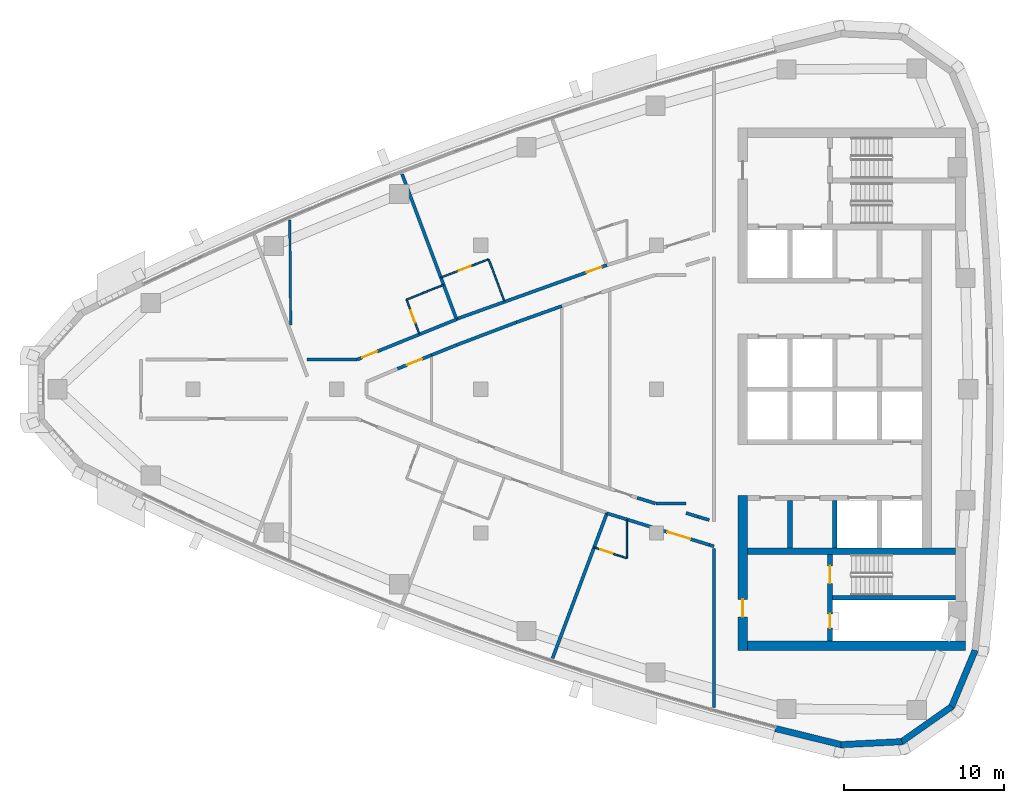
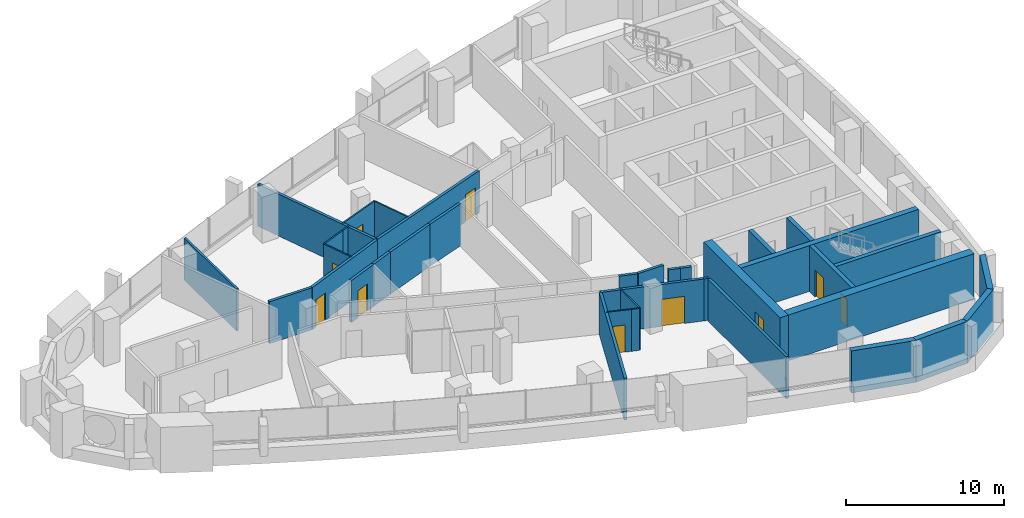
# One storey, part 9 of 15: 36 walls, 10 doors, 10 openings.
"""IFC4 building model written with IfcOpenShell, lengths in metres."""

import ifcopenshell
import ifcopenshell.guid

model = None  # the IFC model being written
_history = None  # IfcOwnerHistory: only IFC2X3 demands one
_inside = {}  # id of a spatial element -> (the spatial element, [elements in it])
_under = {}  # id of a project, library or spatial element -> (it, [spatial elements below it])
_declared = {}  # id of a project -> (the project, [libraries it declares])
_typed = {}  # id of a type object -> (the type object, [elements of that type])
_made_of = {}  # id of a material, layer set ... -> (it, [elements and type objects made of it])


def new_model(schema):
    """Start an empty IFC model of exactly this schema.

    Asked for "IFC4X3", IfcOpenShell would pick the latest addendum, in which some entities
    have other attributes; the version numbers below select the first issue.
    IFC2X3 requires an IfcOwnerHistory on every rooted entity: one is made here for all.
    """
    global model, _history
    if schema == "IFC4X3":
        model = ifcopenshell.file(schema_version=(4, 3, 0, 0))
    else:
        model = ifcopenshell.file(schema=schema)
    _inside.clear()
    _under.clear()
    _declared.clear()
    _typed.clear()
    _made_of.clear()
    _history = None
    if model.schema == "IFC2X3":
        org = make("IfcOrganization", Name="unknown")
        user = make(
            "IfcPersonAndOrganization",
            ThePerson=make("IfcPerson", FamilyName="unknown"),
            TheOrganization=org,
        )
        app = make(
            "IfcApplication",
            ApplicationDeveloper=org,
            Version="unknown",
            ApplicationFullName="unknown",
            ApplicationIdentifier="unknown",
        )
        _history = make(
            "IfcOwnerHistory",
            OwningUser=user,
            OwningApplication=app,
            ChangeAction="ADDED",
            CreationDate=0,
        )
    return model


def make(cls, **values):
    """One entity of the class cls with the attributes given. An attribute that is None is left unset."""
    return model.create_entity(
        cls, **{name: value for name, value in values.items() if value is not None}
    )


def rooted(cls, **values):
    """An entity with a GlobalId (a new one), such as an element, a storey or a relation."""
    return make(cls, GlobalId=ifcopenshell.guid.new(), OwnerHistory=_history, **values)


def si_unit(unit_type, name, prefix=None):
    """IfcSIUnit, for example si_unit("LENGTHUNIT", "METRE", prefix="MILLI")."""
    return make("IfcSIUnit", UnitType=unit_type, Prefix=prefix, Name=name)


def assignment(units):
    """IfcUnitAssignment: the units of a project."""
    return None if units is None else make("IfcUnitAssignment", Units=units)


def point(xyz):
    """IfcCartesianPoint."""
    return None if xyz is None else make("IfcCartesianPoint", Coordinates=xyz)


def direction(xyz):
    """IfcDirection."""
    return None if xyz is None else make("IfcDirection", DirectionRatios=xyz)


def frame(location, z_axis=None, x_axis=None):
    """IfcAxis2Placement3D, a coordinate frame: its origin and axes. An axis left out is left unset."""
    return make(
        "IfcAxis2Placement3D",
        Location=point(location),
        Axis=direction(z_axis),
        RefDirection=direction(x_axis),
    )


def frame_2d(location, x_axis=None):
    """IfcAxis2Placement2D, a coordinate frame in the plane: its origin and x axis."""
    return make(
        "IfcAxis2Placement2D", Location=point(location), RefDirection=direction(x_axis)
    )


def origin():
    """The frame at (0, 0, 0) with its axes left unset."""
    return frame((0.0, 0.0, 0.0))


def place(relative_to, where):
    """IfcLocalPlacement: puts the frame where relative to a parent placement (None: the world)."""
    return make(
        "IfcLocalPlacement", PlacementRelTo=relative_to, RelativePlacement=where
    )


def context(
    kind, dimensions, precision=None, world=None, true_north=None, identifier=None
):
    """IfcGeometricRepresentationContext, for example the 3D "Model" context."""
    return make(
        "IfcGeometricRepresentationContext",
        ContextIdentifier=identifier,
        ContextType=kind,
        CoordinateSpaceDimension=dimensions,
        Precision=precision,
        WorldCoordinateSystem=world,
        TrueNorth=true_north,
    )


def subcontext(parent, identifier, kind, view, scale=None):
    """IfcGeometricRepresentationSubContext, for example "Body" below "Model"."""
    return make(
        "IfcGeometricRepresentationSubContext",
        ContextIdentifier=identifier,
        ContextType=kind,
        ParentContext=parent,
        TargetScale=scale,
        TargetView=view,
    )


def project(units=None, contexts=None):
    """IfcProject with its units and contexts."""
    return rooted(
        "IfcProject",
        Name="project",
        RepresentationContexts=contexts,
        UnitsInContext=assignment(units),
    )


def spatial(cls, under=None, at=None, **own):
    """A site, building, storey or space (cls), placed at a placement, below another one or the project."""
    s = rooted(cls, ObjectPlacement=at, **own)
    if under is not None:
        _under.setdefault(under.id(), (under, []))[1].append(s)
    return s


def polyline(points):
    """IfcPolyline through the points."""
    return make("IfcPolyline", Points=[point(p) for p in points])


def profile(cls, at=None, kind="AREA", **sizes):
    """A parametric profile (cls). Its sizes go by their IFC names, for example OverallWidth=200.0."""
    return make(cls, ProfileType=kind, Position=at, **sizes)


def rectangle(**sizes):
    """IfcRectangleProfileDef."""
    return profile("IfcRectangleProfileDef", **sizes)


def outline(outer, holes=None, kind="AREA"):
    """IfcArbitraryClosedProfileDef: a profile drawn as a closed curve; with holes, ...WithVoids."""
    if holes is None:
        return make("IfcArbitraryClosedProfileDef", ProfileType=kind, OuterCurve=outer)
    return make(
        "IfcArbitraryProfileDefWithVoids",
        ProfileType=kind,
        OuterCurve=outer,
        InnerCurves=holes,
    )


def extrude(swept, where, along, depth):
    """IfcExtrudedAreaSolid: the profile swept, set in the frame where, extruded along a direction by depth."""
    return make(
        "IfcExtrudedAreaSolid",
        SweptArea=swept,
        Position=where,
        ExtrudedDirection=direction(along),
        Depth=depth,
    )


def shape(context_of_items, identifier, shape_type, items):
    """IfcShapeRepresentation: the items that make up one representation, for example the "Body"."""
    return make(
        "IfcShapeRepresentation",
        ContextOfItems=context_of_items,
        RepresentationIdentifier=identifier,
        RepresentationType=shape_type,
        Items=items,
    )


def material(Name=None, Category=None):
    """IfcMaterial."""
    return make("IfcMaterial", Name=Name, Category=Category)


def layer(
    of_material, thickness, ventilated=None, Name=None, Category=None, Priority=None
):
    """IfcMaterialLayer: one layer of a wall or slab, of a material (None: an air gap)."""
    return make(
        "IfcMaterialLayer",
        Material=of_material,
        LayerThickness=thickness,
        IsVentilated=ventilated,
        Name=Name,
        Category=Category,
        Priority=Priority,
    )


def layer_set(layers, Name=None):
    """IfcMaterialLayerSet."""
    return make("IfcMaterialLayerSet", MaterialLayers=layers, LayerSetName=Name)


def made_of(thing, what):
    """Note that an element or type object is made of a material, layer set ...; save() writes the relation."""
    if what is not None:
        _made_of.setdefault(what.id(), (what, []))[1].append(thing)
    return thing


def type_object(cls, material=None, **own):
    """A type object (cls), such as IfcWallType, which elements share."""
    return made_of(rooted(cls, **own), material)


def element(
    cls,
    number,
    at=None,
    inside=None,
    cuts=None,
    type_object=None,
    material=None,
    context=None,
    identifier="Body",
    shape_type=None,
    held_by="IfcProductDefinitionShape",
    body=None,
    shapes=None,
    **own,
):
    """One element of the class cls, such as IfcWall. Its Tag is "e" and its number.

    at: its placement. inside: the storey or other place that contains it. cuts: it is an
    opening in that element (IfcRelVoidsElement). A single representation is given by context,
    identifier, shape_type and body (its items); several are given by shapes. held_by: the class
    of the entity that holds the representations. save() writes the other relations.
    """
    e = rooted(cls, Tag="e%d" % number, ObjectPlacement=at, **own)
    if body is not None:
        shapes = [shape(context, identifier, shape_type, body)]
    if shapes is not None:
        e.Representation = make(held_by, Representations=shapes)
    if inside is not None:
        _inside.setdefault(inside.id(), (inside, []))[1].append(e)
    if cuts is not None:
        rooted(
            "IfcRelVoidsElement", RelatingBuildingElement=cuts, RelatedOpeningElement=e
        )
    if type_object is not None:
        _typed.setdefault(type_object.id(), (type_object, []))[1].append(e)
    return made_of(e, material)


def fill(opening, filler):
    """IfcRelFillsElement: the door or window that sits in an opening."""
    return rooted(
        "IfcRelFillsElement",
        RelatingOpeningElement=opening,
        RelatedBuildingElement=filler,
    )


def aggregate(whole, parts):
    """IfcRelAggregates: a whole, such as a stair, and the parts it consists of."""
    return rooted("IfcRelAggregates", RelatingObject=whole, RelatedObjects=parts)


def save(model, path):
    """Write the relations noted so far, then the file.

    IfcRelAggregates (storeys below a building ...), IfcRelContainedInSpatialStructure (elements
    in a storey), IfcRelDefinesByType, IfcRelAssociatesMaterial and IfcRelDeclares: one each for
    every whole, place, type object, material and project.
    """
    for whole, parts in _under.values():
        aggregate(whole, parts)
    for where, things in _inside.values():
        rooted(
            "IfcRelContainedInSpatialStructure",
            RelatedElements=things,
            RelatingStructure=where,
        )
    for kind, things in _typed.values():
        rooted("IfcRelDefinesByType", RelatedObjects=things, RelatingType=kind)
    for what, things in _made_of.values():
        rooted("IfcRelAssociatesMaterial", RelatedObjects=things, RelatingMaterial=what)
    for by, libraries in _declared.values():
        rooted("IfcRelDeclares", RelatingContext=by, RelatedDefinitions=libraries)
    model.write(path)


model = new_model("IFC4")

# Units and contexts
model_context = context("Model", 3, precision=1e-05, world=origin(), true_north=direction((0.0, 1.0)))
body_context = subcontext(model_context, "Body", "Model", "MODEL_VIEW")
ifc_project = project(units=[si_unit("LENGTHUNIT", "METRE"), si_unit("AREAUNIT", "SQUARE_METRE"), si_unit("VOLUMEUNIT", "CUBIC_METRE"), si_unit("PLANEANGLEUNIT", "RADIAN"), si_unit("MASSUNIT", "GRAM", prefix="KILO")], contexts=[model_context])

# Site, building, storey
site_placement = place(None, origin())
site = spatial("IfcSite", under=ifc_project, at=site_placement, CompositionType="ELEMENT")
building_placement = place(site_placement, origin())
building = spatial("IfcBuilding", under=site, at=building_placement, Name="Ostrand Prow Hotel Tower", CompositionType="ELEMENT")
storey_placement = place(building_placement, frame((0.0, 0.0, 235.0)))
storey = spatial("IfcBuildingStorey", under=building, at=storey_placement, Name="L59", CompositionType="ELEMENT", Elevation=235.0)

# Walls
ifc_material_1 = material(Name="Concrete C50/60", Category="concrete")
ifc_layer_1 = layer(ifc_material_1, 0.300048828125)
ifc_layer_set_1 = layer_set([ifc_layer_1], Name="Concrete C50/60")
wall_type_1 = type_object("IfcWallType", Name="Core wall 300 C50/60", PredefinedType="SHEAR", material=ifc_layer_set_1)
for number, where, z_axis, x_axis, name in (
    (1, (53.35009765625, -9.949951171875, 0.0), (0.0, 0.0, 1.0), (0.0, 1.0, 0.0), "Core wall PW-R1-SA"),
    (2, (56.14990234375, -9.949951171875, 0.0), (0.0, 0.0, 1.0), (0.0, 1.0, 0.0), "Core wall PW-R2-SA"),
):
    element("IfcWall", number, at=place(storey_placement, frame(where, z_axis=z_axis, x_axis=x_axis)), inside=storey, type_object=wall_type_1, Name=name, PredefinedType="SHEAR", context=body_context, shape_type="SweptSolid", body=[
        extrude(rectangle(XDim=3.0, YDim=0.300048828125, at=frame_2d((1.5, 0.0))), origin(), (0.0, 0.0, 1.0), 3.550048828125),
    ])

# Wall, openings, doors
wall_1_placement = place(storey_placement, frame((55.85009765625, -15.75, 0.0), z_axis=(0.0, 0.0, 1.0), x_axis=(0.0, 1.0, 0.0)))
wall_1 = element("IfcWall", 3, at=wall_1_placement, inside=storey, type_object=wall_type_1, Name="Core wall PW-VS", PredefinedType="SHEAR", context=body_context, shape_type="SweptSolid", body=[
    extrude(rectangle(XDim=5.39990234375, YDim=0.300048828125, at=frame_2d((2.699951171875, 0.0))), origin(), (0.0, 0.0, 1.0), 3.550048828125),
])
opening_1_placement = place(wall_1_placement, frame((3.60009765625, 0.0, 0.0)))
opening_1 = element("IfcOpeningElement", 4, at=opening_1_placement, cuts=wall_1, Name="Opening FD1", PredefinedType="OPENING", context=body_context, shape_type="SweptSolid", body=[
    extrude(rectangle(XDim=1.10009765625, YDim=2.10009765625, at=frame_2d((0.550048828125, 1.050048828125))), frame((0.0, 0.159912109375, 0.0), z_axis=(0.0, -1.0, 0.0), x_axis=(1.0, 0.0, 0.0)), (0.0, 0.0, 1.0), 0.320068359375),
])
opening_2_placement = place(wall_1_placement, frame((0.800048828125, 0.0, 0.0)))
opening_2 = element("IfcOpeningElement", 5, at=opening_2_placement, cuts=wall_1, Name="Opening FD2", PredefinedType="OPENING", context=body_context, shape_type="SweptSolid", body=[
    extrude(rectangle(XDim=0.89990234375, YDim=2.10009765625, at=frame_2d((0.449951171875, 1.050048828125))), frame((0.0, 0.159912109375, 0.0), z_axis=(0.0, -1.0, 0.0), x_axis=(1.0, 0.0, 0.0)), (0.0, 0.0, 1.0), 0.320068359375),
])
ifc_material_2 = material(Name="Steel fire door", Category="steel")
door_type_1 = type_object("IfcDoorType", Name="Fire door 1100 EI120", OperationType="SINGLE_SWING_RIGHT", PredefinedType="DOOR", material=ifc_material_2)
door_1_placement = place(opening_1_placement, origin())
door_1 = element("IfcDoor", 6, at=door_1_placement, inside=storey, type_object=door_type_1, Name="FIRE DOOR", OperationType="SINGLE_SWING_RIGHT", OverallHeight=2.10009765625, OverallWidth=1.10009765625, PredefinedType="DOOR", context=body_context, shape_type="SweptSolid", body=[
    extrude(rectangle(XDim=1.10009765625, YDim=2.10009765625, at=frame_2d((0.550048828125, 1.050048828125))), frame((0.0, 0.02490234375, 0.0), z_axis=(0.0, -1.0, 0.0), x_axis=(1.0, 0.0, 0.0)), (0.0, 0.0, 1.0), 0.050048828125),
])
fill(opening_1, door_1)
ifc_material_3 = material(Name="Steel fire door", Category="steel")
door_type_2 = type_object("IfcDoorType", Name="Fire door 900 EI120", OperationType="SINGLE_SWING_LEFT", PredefinedType="DOOR", material=ifc_material_3)
door_2_placement = place(opening_2_placement, origin())
door_2 = element("IfcDoor", 7, at=door_2_placement, inside=storey, type_object=door_type_2, Name="FIRE DOOR", OperationType="SINGLE_SWING_LEFT", OverallHeight=2.10009765625, OverallWidth=0.89990234375, PredefinedType="DOOR", context=body_context, shape_type="SweptSolid", body=[
    extrude(rectangle(XDim=0.89990234375, YDim=2.10009765625, at=frame_2d((0.449951171875, 1.050048828125))), frame((0.0, 0.02490234375, 0.0), z_axis=(0.0, -1.0, 0.0), x_axis=(1.0, 0.0, 0.0)), (0.0, 0.0, 1.0), 0.050048828125),
])
fill(opening_2, door_2)

# Walls
wall_2_placement = place(storey_placement, frame((56.0, -13.050048828125, 0.0), z_axis=(0.0, 0.0, 1.0), x_axis=(1.0, 0.0, 0.0)))
element("IfcWall", 8, at=wall_2_placement, inside=storey, type_object=wall_type_1, Name="Core wall PW-ST2R", PredefinedType="SHEAR", context=body_context, shape_type="SweptSolid", body=[
    extrude(rectangle(XDim=7.719970703125, YDim=0.300048828125, at=frame_2d((3.85986328125, 0.0))), origin(), (0.0, 0.0, 1.0), 3.550048828125),
])
ifc_material_4 = material(Name="Concrete C50/60", Category="concrete")
ifc_layer_2 = layer(ifc_material_4, 0.39990234375)
ifc_layer_set_2 = layer_set([ifc_layer_2], Name="Concrete C50/60")
wall_type_2 = type_object("IfcWallType", Name="Core wall 400 C50/60", PredefinedType="SHEAR", material=ifc_layer_set_2)
wall_3_placement = place(storey_placement, frame((50.699951171875, -10.14990234375, 0.0), z_axis=(0.0, 0.0, 1.0), x_axis=(1.0, 0.0, 0.0)))
element("IfcWall", 9, at=wall_3_placement, inside=storey, type_object=wall_type_2, Name="Core wall PW-BS", PredefinedType="SHEAR", context=body_context, shape_type="SweptSolid", body=[
    extrude(rectangle(XDim=13.02001953125, YDim=0.39990234375, at=frame_2d((6.510009765625, 0.0))), origin(), (0.0, 0.0, 1.0), 3.550048828125),
])

# Wall, opening, door
ifc_material_5 = material(Name="Concrete C50/60", Category="concrete")
ifc_layer_3 = layer(ifc_material_5, 0.60009765625)
ifc_layer_set_3 = layer_set([ifc_layer_3], Name="Concrete C50/60")
wall_type_3 = type_object("IfcWallType", Name="Core wall 600 C50/60", PredefinedType="SHEAR", material=ifc_layer_set_3)
wall_4_placement = place(storey_placement, frame((50.39990234375, -16.35009765625, 0.0), z_axis=(0.0, 0.0, 1.0), x_axis=(0.0, 1.0, 0.0)))
wall_4 = element("IfcWall", 10, at=wall_4_placement, inside=storey, type_object=wall_type_3, Name="Core wall CW-W-S", PredefinedType="SHEAR", context=body_context, shape_type="SweptSolid", body=[
    extrude(rectangle(XDim=9.7001953125, YDim=0.60009765625, at=frame_2d((4.85009765625, 0.0))), origin(), (0.0, 0.0, 1.0), 3.550048828125),
])
opening_3_placement = place(wall_4_placement, frame((2.10009765625, 0.0, 0.0)))
opening_3 = element("IfcOpeningElement", 11, at=opening_3_placement, cuts=wall_4, Name="Opening FD1", PredefinedType="OPENING", context=body_context, shape_type="SweptSolid", body=[
    extrude(rectangle(XDim=1.10009765625, YDim=2.10009765625, at=frame_2d((0.550048828125, 1.050048828125))), frame((0.0, 0.31005859375, 0.0), z_axis=(0.0, -1.0, 0.0), x_axis=(1.0, 0.0, 0.0)), (0.0, 0.0, 1.0), 0.6201171875),
])
door_3_placement = place(opening_3_placement, origin())
door_3 = element("IfcDoor", 12, at=door_3_placement, inside=storey, type_object=door_type_1, Name="FIRE DOOR", OperationType="SINGLE_SWING_RIGHT", OverallHeight=2.10009765625, OverallWidth=1.10009765625, PredefinedType="DOOR", context=body_context, shape_type="SweptSolid", body=[
    extrude(rectangle(XDim=1.10009765625, YDim=2.10009765625, at=frame_2d((0.550048828125, 1.050048828125))), frame((0.0, 0.02490234375, 0.0), z_axis=(0.0, -1.0, 0.0), x_axis=(1.0, 0.0, 0.0)), (0.0, 0.0, 1.0), 0.050048828125),
])
fill(opening_3, door_3)

# Walls
wall_5_placement = place(storey_placement, frame((50.699951171875, -16.050048828125, 0.0), z_axis=(0.0, 0.0, 1.0), x_axis=(1.0, 0.0, 0.0)))
element("IfcWall", 13, at=wall_5_placement, inside=storey, type_object=wall_type_3, Name="Core wall CW-S", PredefinedType="SHEAR", context=body_context, shape_type="SweptSolid", body=[
    extrude(rectangle(XDim=13.6201171875, YDim=0.60009765625, at=frame_2d((6.81005859375, 0.0))), origin(), (0.0, 0.0, 1.0), 3.550048828125),
])
ifc_material_6 = material(Name="Plasterboard partition")
ifc_layer_4 = layer(ifc_material_6, 0.10009765625)
ifc_layer_set_4 = layer_set([ifc_layer_4], Name="Plasterboard partition")
wall_type_4 = type_object("IfcWallType", Name="Partition 100 bathroom wall", PredefinedType="PARTITIONING", material=ifc_layer_set_4)
wall_6_placement = place(storey_placement, frame((29.360107421875, 5.599853515625, 0.0), z_axis=(0.0, 0.0, 1.0), x_axis=(0.927594225674, 0.373589283166, 0.0)))
element("IfcWall", 14, at=wall_6_placement, inside=storey, type_object=wall_type_4, Name="BATHROOM WALL", PredefinedType="PARTITIONING", context=body_context, shape_type="SweptSolid", body=[
    extrude(rectangle(XDim=1.89453125, YDim=0.10009765625, at=frame_2d((0.947265625, 0.0))), origin(), (0.0, 0.0, 1.0), 3.25),
])
wall_7_placement = place(storey_placement, frame((31.117431640625, 6.3076171875, 0.0), z_axis=(0.0, 0.0, 1.0), x_axis=(0.935048188903, 0.354520640342, 0.0)))
element("IfcWall", 15, at=wall_7_placement, inside=storey, type_object=wall_type_4, Name="BATHROOM WALL", PredefinedType="PARTITIONING", context=body_context, shape_type="SweptSolid", body=[
    extrude(rectangle(XDim=0.60595703125, YDim=0.10009765625, at=frame_2d((0.302978515625, 0.0))), origin(), (0.0, 0.0, 1.0), 3.25),
])

# Wall, opening, door
wall_8_placement = place(storey_placement, frame((30.159912109375, 3.46728515625, 0.0), z_axis=(0.0, 0.0, 1.0), x_axis=(-0.351158682313, 0.936315961541, 0.0)))
wall_8 = element("IfcWall", 16, at=wall_8_placement, inside=storey, type_object=wall_type_4, Name="BATHROOM WALL", PredefinedType="PARTITIONING", context=body_context, shape_type="SweptSolid", body=[
    extrude(rectangle(XDim=2.277587890625, YDim=0.10009765625, at=frame_2d((1.138671875, 0.0))), origin(), (0.0, 0.0, 1.0), 3.25),
])
opening_4_placement = place(wall_8_placement, frame((0.75, 0.0, 0.0)))
opening_4 = element("IfcOpeningElement", 17, at=opening_4_placement, cuts=wall_8, Name="Opening D2", PredefinedType="OPENING", context=body_context, shape_type="SweptSolid", body=[
    extrude(rectangle(XDim=0.800048828125, YDim=2.10009765625, at=frame_2d((0.39990234375, 1.050048828125))), frame((0.0, 0.06005859375, 0.0), z_axis=(0.0, -1.0, 0.0), x_axis=(1.0, 0.0, 0.0)), (0.0, 0.0, 1.0), 0.1201171875),
])
ifc_material_7 = material(Name="Timber door leaf", Category="wood")
door_type_3 = type_object("IfcDoorType", Name="Bathroom door 800", OperationType="SINGLE_SWING_LEFT", PredefinedType="DOOR", material=ifc_material_7)
door_4_placement = place(opening_4_placement, origin())
door_4 = element("IfcDoor", 18, at=door_4_placement, inside=storey, type_object=door_type_3, Name="DOOR", OperationType="SINGLE_SWING_LEFT", OverallHeight=2.10009765625, OverallWidth=0.800048828125, PredefinedType="DOOR", context=body_context, shape_type="SweptSolid", body=[
    extrude(rectangle(XDim=0.800048828125, YDim=2.10009765625, at=frame_2d((0.39990234375, 1.050048828125))), frame((0.0, 0.02490234375, 0.0), z_axis=(0.0, -1.0, 0.0), x_axis=(1.0, 0.0, 0.0)), (0.0, 0.0, 1.0), 0.050048828125),
])
fill(opening_4, door_4)

wall_9_placement = place(storey_placement, frame((31.508544921875, 6.99072265625, 0.0), z_axis=(0.0, 0.0, 1.0), x_axis=(0.934948661714, 0.354783032232, 0.0)))
wall_9 = element("IfcWall", 19, at=wall_9_placement, inside=storey, type_object=wall_type_4, Name="BATHROOM WALL", PredefinedType="PARTITIONING", context=body_context, shape_type="SweptSolid", body=[
    extrude(rectangle(XDim=3.199951171875, YDim=0.10009765625, at=frame_2d((1.60009765625, 0.0))), origin(), (0.0, 0.0, 1.0), 3.25),
])
opening_5_placement = place(wall_9_placement, frame((1.199951171875, 0.0, 0.0)))
opening_5 = element("IfcOpeningElement", 20, at=opening_5_placement, cuts=wall_9, Name="Opening D2", PredefinedType="OPENING", context=body_context, shape_type="SweptSolid", body=[
    extrude(rectangle(XDim=0.800048828125, YDim=2.10009765625, at=frame_2d((0.39990234375, 1.050048828125))), frame((0.0, 0.06005859375, 0.0), z_axis=(0.0, -1.0, 0.0), x_axis=(1.0, 0.0, 0.0)), (0.0, 0.0, 1.0), 0.1201171875),
])
door_5_placement = place(opening_5_placement, origin())
door_5 = element("IfcDoor", 21, at=door_5_placement, inside=storey, type_object=door_type_3, Name="DOOR", OperationType="SINGLE_SWING_LEFT", OverallHeight=2.10009765625, OverallWidth=0.800048828125, PredefinedType="DOOR", context=body_context, shape_type="SweptSolid", body=[
    extrude(rectangle(XDim=0.800048828125, YDim=2.10009765625, at=frame_2d((0.39990234375, 1.050048828125))), frame((0.0, 0.02490234375, 0.0), z_axis=(0.0, -1.0, 0.0), x_axis=(1.0, 0.0, 0.0)), (0.0, 0.0, 1.0), 0.050048828125),
])
fill(opening_5, door_5)

# Walls
wall_10_placement = place(storey_placement, frame((34.50048828125, 8.1259765625, 0.0), z_axis=(0.0, 0.0, 1.0), x_axis=(0.351065630332, -0.936350854755, 0.0)))
element("IfcWall", 22, at=wall_10_placement, inside=storey, type_object=wall_type_4, Name="BATHROOM WALL", PredefinedType="PARTITIONING", context=body_context, shape_type="SweptSolid", body=[
    extrude(rectangle(XDim=2.77685546875, YDim=0.10009765625, at=frame_2d((1.388427734375, 0.0))), origin(), (0.0, 0.0, 1.0), 3.25),
])
wall_11_placement = place(storey_placement, frame((43.127685546875, -10.567626953125, 0.0), z_axis=(0.0, 0.0, 1.0), x_axis=(-0.954618903587, 0.297830067176, 0.0)))
element("IfcWall", 23, at=wall_11_placement, inside=storey, type_object=wall_type_4, Name="BATHROOM WALL", PredefinedType="PARTITIONING", context=body_context, shape_type="SweptSolid", body=[
    extrude(rectangle(XDim=0.53125, YDim=0.10009765625, at=frame_2d((0.265625, 0.0))), origin(), (0.0, 0.0, 1.0), 3.25),
])

# Wall, opening, door
wall_12_placement = place(storey_placement, frame((42.62060546875, -10.409423828125, 0.0), z_axis=(0.0, 0.0, 1.0), x_axis=(-0.948485479965, 0.3168206027, 0.0)))
wall_12 = element("IfcWall", 24, at=wall_12_placement, inside=storey, type_object=wall_type_4, Name="BATHROOM WALL", PredefinedType="PARTITIONING", context=body_context, shape_type="SweptSolid", body=[
    extrude(rectangle(XDim=1.60595703125, YDim=0.10009765625, at=frame_2d((0.802978515625, 0.0))), origin(), (0.0, 0.0, 1.0), 3.25),
])
opening_6_placement = place(wall_12_placement, frame((0.39990234375, 0.0, 0.0)))
opening_6 = element("IfcOpeningElement", 25, at=opening_6_placement, cuts=wall_12, Name="Opening D2", PredefinedType="OPENING", context=body_context, shape_type="SweptSolid", body=[
    extrude(rectangle(XDim=0.800048828125, YDim=2.10009765625, at=frame_2d((0.39990234375, 1.050048828125))), frame((0.0, 0.06005859375, 0.0), z_axis=(0.0, -1.0, 0.0), x_axis=(1.0, 0.0, 0.0)), (0.0, 0.0, 1.0), 0.1201171875),
])
door_6_placement = place(opening_6_placement, origin())
door_6 = element("IfcDoor", 26, at=door_6_placement, inside=storey, type_object=door_type_3, Name="DOOR", OperationType="SINGLE_SWING_LEFT", OverallHeight=2.10009765625, OverallWidth=0.800048828125, PredefinedType="DOOR", context=body_context, shape_type="SweptSolid", body=[
    extrude(rectangle(XDim=0.800048828125, YDim=2.10009765625, at=frame_2d((0.39990234375, 1.050048828125))), frame((0.0, 0.02490234375, 0.0), z_axis=(0.0, -1.0, 0.0), x_axis=(1.0, 0.0, 0.0)), (0.0, 0.0, 1.0), 0.050048828125),
])
fill(opening_6, door_6)

# Walls
wall_13_placement = place(storey_placement, frame((43.14501953125, -8.1650390625, 0.0), z_axis=(0.0, 0.0, 1.0), x_axis=(0.0, -1.0, 0.0)))
element("IfcWall", 27, at=wall_13_placement, inside=storey, type_object=wall_type_4, Name="BATHROOM WALL", PredefinedType="PARTITIONING", context=body_context, shape_type="SweptSolid", body=[
    extrude(rectangle(XDim=2.42529296875, YDim=0.10009765625, at=frame_2d((1.212646484375, 0.0))), origin(), (0.0, 0.0, 1.0), 3.25),
])
ifc_material_8 = material(Name="Plasterboard partition")
ifc_layer_5 = layer(ifc_material_8, 0.14990234375)
ifc_layer_set_5 = layer_set([ifc_layer_5], Name="Plasterboard partition")
wall_type_5 = type_object("IfcWallType", Name="Partition 150 room partition", PredefinedType="PARTITIONING", material=ifc_layer_set_5)
wall_14_placement = place(storey_placement, frame((22.057373046875, 10.577880859375, 0.0), z_axis=(0.0, 0.0, 1.0), x_axis=(0.008379594055, -0.999964890585, 0.0)))
element("IfcWall", 28, at=wall_14_placement, inside=storey, type_object=wall_type_5, Name="ROOM PARTITION", PredefinedType="PARTITIONING", context=body_context, shape_type="SweptSolid", body=[
    extrude(rectangle(XDim=6.555419921875, YDim=0.14990234375, at=frame_2d((3.27783203125, 0.0))), origin(), (0.0, 0.0, 1.0), 3.25),
])

# Wall, opening, door
ifc_material_9 = material(Name="Plasterboard partition")
ifc_layer_6 = layer(ifc_material_9, 0.199951171875)
ifc_layer_set_6 = layer_set([ifc_layer_6], Name="Plasterboard partition")
wall_type_6 = type_object("IfcWallType", Name="Partition 200 corridor wall", PredefinedType="PARTITIONING", material=ifc_layer_set_6)
wall_15_placement = place(storey_placement, frame((26.265869140625, 1.85009765625, 0.0), z_axis=(0.0, 0.0, 1.0), x_axis=(0.927007906702, 0.375041785555, 0.0)))
wall_15 = element("IfcWall", 29, at=wall_15_placement, inside=storey, type_object=wall_type_6, Name="CORRIDOR WALL", PredefinedType="PARTITIONING", context=body_context, shape_type="SweptSolid", body=[
    extrude(rectangle(XDim=6.716064453125, YDim=0.199951171875, at=frame_2d((3.35791015625, 0.0))), origin(), (0.0, 0.0, 1.0), 3.25),
])
opening_7_placement = place(wall_15_placement, frame((0.35009765625, 0.0, 0.0)))
opening_7 = element("IfcOpeningElement", 30, at=opening_7_placement, cuts=wall_15, Name="Opening D1", PredefinedType="OPENING", context=body_context, shape_type="SweptSolid", body=[
    extrude(rectangle(XDim=1.0, YDim=2.10009765625, at=frame_2d((0.5, 1.050048828125))), frame((0.0, 0.10986328125, 0.0), z_axis=(0.0, -1.0, 0.0), x_axis=(1.0, 0.0, 0.0)), (0.0, 0.0, 1.0), 0.219970703125),
])
ifc_material_10 = material(Name="Timber door leaf", Category="wood")
door_type_4 = type_object("IfcDoorType", Name="Guest room door 1000", OperationType="SINGLE_SWING_LEFT", PredefinedType="DOOR", material=ifc_material_10)
door_7_placement = place(opening_7_placement, origin())
door_7 = element("IfcDoor", 31, at=door_7_placement, inside=storey, type_object=door_type_4, Name="DOOR", OperationType="SINGLE_SWING_LEFT", OverallHeight=2.10009765625, OverallWidth=1.0, PredefinedType="DOOR", context=body_context, shape_type="SweptSolid", body=[
    extrude(rectangle(XDim=1.0, YDim=2.10009765625, at=frame_2d((0.5, 1.050048828125))), frame((0.0, 0.02490234375, 0.0), z_axis=(0.0, -1.0, 0.0), x_axis=(1.0, 0.0, 0.0)), (0.0, 0.0, 1.0), 0.050048828125),
])
fill(opening_7, door_7)

wall_16_placement = place(storey_placement, frame((41.8984375, 7.764404296875, 0.0), z_axis=(0.0, 0.0, 1.0), x_axis=(-0.941277643829, -0.337633525034, 0.0)))
wall_16 = element("IfcWall", 32, at=wall_16_placement, inside=storey, type_object=wall_type_6, Name="CORRIDOR WALL", PredefinedType="PARTITIONING", context=body_context, shape_type="SweptSolid", body=[
    extrude(rectangle(XDim=10.001220703125, YDim=0.199951171875, at=frame_2d((5.00048828125, 0.0))), origin(), (0.0, 0.0, 1.0), 3.25),
])
opening_8_placement = place(wall_16_placement, frame((0.35009765625, 0.0, 0.0)))
opening_8 = element("IfcOpeningElement", 33, at=opening_8_placement, cuts=wall_16, Name="Opening D1", PredefinedType="OPENING", context=body_context, shape_type="SweptSolid", body=[
    extrude(rectangle(XDim=1.0, YDim=2.10009765625, at=frame_2d((0.5, 1.050048828125))), frame((0.0, 0.10986328125, 0.0), z_axis=(0.0, -1.0, 0.0), x_axis=(1.0, 0.0, 0.0)), (0.0, 0.0, 1.0), 0.219970703125),
])
door_8_placement = place(opening_8_placement, origin())
door_8 = element("IfcDoor", 34, at=door_8_placement, inside=storey, type_object=door_type_4, Name="DOOR", OperationType="SINGLE_SWING_LEFT", OverallHeight=2.10009765625, OverallWidth=1.0, PredefinedType="DOOR", context=body_context, shape_type="SweptSolid", body=[
    extrude(rectangle(XDim=1.0, YDim=2.10009765625, at=frame_2d((0.5, 1.050048828125))), frame((0.0, 0.02490234375, 0.0), z_axis=(0.0, -1.0, 0.0), x_axis=(1.0, 0.0, 0.0)), (0.0, 0.0, 1.0), 0.050048828125),
])
fill(opening_8, door_8)

wall_17_placement = place(storey_placement, frame((28.795654296875, 1.276123046875, 0.0), z_axis=(0.0, 0.0, 1.0), x_axis=(0.927609077038, 0.373552406224, 0.0)))
wall_17 = element("IfcWall", 35, at=wall_17_placement, inside=storey, type_object=wall_type_6, Name="CORRIDOR WALL", PredefinedType="PARTITIONING", context=body_context, shape_type="SweptSolid", body=[
    extrude(rectangle(XDim=2.296630859375, YDim=0.199951171875, at=frame_2d((1.1484375, 0.0))), origin(), (0.0, 0.0, 1.0), 3.25),
])
opening_9_placement = place(wall_17_placement, frame((0.648193359375, 0.0, 0.0)))
opening_9 = element("IfcOpeningElement", 36, at=opening_9_placement, cuts=wall_17, Name="Opening D1R", PredefinedType="OPENING", context=body_context, shape_type="SweptSolid", body=[
    extrude(rectangle(XDim=1.0, YDim=2.10009765625, at=frame_2d((0.5, 1.050048828125))), frame((0.0, 0.10986328125, 0.0), z_axis=(0.0, -1.0, 0.0), x_axis=(1.0, 0.0, 0.0)), (0.0, 0.0, 1.0), 0.219970703125),
])
ifc_material_11 = material(Name="Timber door leaf", Category="wood")
door_type_5 = type_object("IfcDoorType", Name="Guest room door 1000 right", OperationType="SINGLE_SWING_RIGHT", PredefinedType="DOOR", material=ifc_material_11)
door_9_placement = place(opening_9_placement, origin())
door_9 = element("IfcDoor", 37, at=door_9_placement, inside=storey, type_object=door_type_5, Name="DOOR", OperationType="SINGLE_SWING_RIGHT", OverallHeight=2.10009765625, OverallWidth=1.0, PredefinedType="DOOR", context=body_context, shape_type="SweptSolid", body=[
    extrude(rectangle(XDim=1.0, YDim=2.10009765625, at=frame_2d((0.5, 1.050048828125))), frame((0.0, 0.02490234375, 0.0), z_axis=(0.0, -1.0, 0.0), x_axis=(1.0, 0.0, 0.0)), (0.0, 0.0, 1.0), 0.050048828125),
])
fill(opening_9, door_9)

# Walls
wall_18_placement = place(storey_placement, frame((30.926025390625, 2.134033203125, 0.0), z_axis=(0.0, 0.0, 1.0), x_axis=(0.927641577565, 0.373471690456, 0.0)))
element("IfcWall", 38, at=wall_18_placement, inside=storey, type_object=wall_type_6, Name="CORRIDOR WALL", PredefinedType="PARTITIONING", context=body_context, shape_type="SweptSolid", body=[
    extrude(rectangle(XDim=1.6982421875, YDim=0.199951171875, at=frame_2d((0.84912109375, 0.0))), origin(), (0.0, 0.0, 1.0), 3.25),
])
wall_19_placement = place(storey_placement, frame((32.50146484375, 2.768310546875, 0.0), z_axis=(0.0, 0.0, 1.0), x_axis=(0.934950696546, 0.354777669856, 0.0)))
element("IfcWall", 39, at=wall_19_placement, inside=storey, type_object=wall_type_6, Name="CORRIDOR WALL", PredefinedType="PARTITIONING", context=body_context, shape_type="SweptSolid", body=[
    extrude(rectangle(XDim=3.99462890625, YDim=0.199951171875, at=frame_2d((1.997314453125, 0.0))), origin(), (0.0, 0.0, 1.0), 3.25),
])
wall_20_placement = place(storey_placement, frame((36.236328125, 4.185546875, 0.0), z_axis=(0.0, 0.0, 1.0), x_axis=(0.941908381697, 0.335869916023, 0.0)))
element("IfcWall", 40, at=wall_20_placement, inside=storey, type_object=wall_type_6, Name="CORRIDOR WALL", PredefinedType="PARTITIONING", context=body_context, shape_type="SweptSolid", body=[
    extrude(rectangle(XDim=3.017333984375, YDim=0.199951171875, at=frame_2d((1.5087890625, 0.0))), origin(), (0.0, 0.0, 1.0), 3.25),
])
wall_21_placement = place(storey_placement, frame((47.60205078125, -7.982421875, 0.0), z_axis=(0.0, 0.0, 1.0), x_axis=(-0.95461224237, 0.297851417181, 0.0)))
element("IfcWall", 41, at=wall_21_placement, inside=storey, type_object=wall_type_6, Name="CORRIDOR WALL", PredefinedType="PARTITIONING", context=body_context, shape_type="SweptSolid", body=[
    extrude(rectangle(XDim=0.78759765625, YDim=0.199951171875, at=frame_2d((0.393798828125, 0.0))), origin(), (0.0, 0.0, 1.0), 3.25),
])
wall_22_placement = place(storey_placement, frame((44.9326171875, -7.14990234375, 0.0), z_axis=(0.0, 0.0, 1.0), x_axis=(-0.954693570678, 0.29759063511, 0.0)))
element("IfcWall", 42, at=wall_22_placement, inside=storey, type_object=wall_type_6, Name="CORRIDOR WALL", PredefinedType="PARTITIONING", context=body_context, shape_type="SweptSolid", body=[
    extrude(rectangle(XDim=1.198486328125, YDim=0.199951171875, at=frame_2d((0.59912109375, 0.0))), origin(), (0.0, 0.0, 1.0), 3.25),
])

# Wall, opening, door
wall_23_placement = place(storey_placement, frame((41.8984375, -7.764404296875, 0.0), z_axis=(0.0, 0.0, 1.0), x_axis=(0.955502033518, -0.294984514752, 0.0)))
wall_23 = element("IfcWall", 43, at=wall_23_placement, inside=storey, type_object=wall_type_6, Name="CORRIDOR WALL", PredefinedType="PARTITIONING", context=body_context, shape_type="SweptSolid", body=[
    extrude(rectangle(XDim=6.69970703125, YDim=0.199951171875, at=frame_2d((3.349853515625, 0.0))), origin(), (0.0, 0.0, 1.0), 3.25),
])
opening_10_placement = place(wall_23_placement, frame((3.949951171875, 0.0, 0.0)))
opening_10 = element("IfcOpeningElement", 44, at=opening_10_placement, cuts=wall_23, Name="Opening D15", PredefinedType="OPENING", context=body_context, shape_type="SweptSolid", body=[
    extrude(rectangle(XDim=1.5, YDim=2.10009765625, at=frame_2d((0.75, 1.050048828125))), frame((0.0, 0.10986328125, 0.0), z_axis=(0.0, -1.0, 0.0), x_axis=(1.0, 0.0, 0.0)), (0.0, 0.0, 1.0), 0.219970703125),
])
ifc_material_12 = material(Name="Timber door leaf", Category="wood")
door_type_6 = type_object("IfcDoorType", Name="Double door 1500", OperationType="DOUBLE_DOOR_SINGLE_SWING", PredefinedType="DOOR", material=ifc_material_12)
door_10_placement = place(opening_10_placement, origin())
door_10 = element("IfcDoor", 45, at=door_10_placement, inside=storey, type_object=door_type_6, Name="DOOR", OperationType="DOUBLE_DOOR_SINGLE_SWING", OverallHeight=2.10009765625, OverallWidth=1.5, PredefinedType="DOOR", context=body_context, shape_type="SweptSolid", body=[
    extrude(rectangle(XDim=1.5, YDim=2.10009765625, at=frame_2d((0.75, 1.050048828125))), frame((0.0, 0.02490234375, 0.0), z_axis=(0.0, -1.0, 0.0), x_axis=(1.0, 0.0, 0.0)), (0.0, 0.0, 1.0), 0.050048828125),
])
fill(opening_10, door_10)

# Walls
wall_24_placement = place(storey_placement, frame((48.300048828125, -8.184814453125, 0.0), z_axis=(0.0, 0.0, 1.0), x_axis=(-0.960439023181, 0.278490363839, 0.0)))
element("IfcWall", 46, at=wall_24_placement, inside=storey, type_object=wall_type_6, Name="CORRIDOR WALL", PredefinedType="PARTITIONING", context=body_context, shape_type="SweptSolid", body=[
    extrude(rectangle(XDim=0.726806640625, YDim=0.199951171875, at=frame_2d((0.36328125, 0.0))), origin(), (0.0, 0.0, 1.0), 3.25),
])
wall_25_placement = place(storey_placement, frame((46.8515625, -7.145263671875, 0.0), z_axis=(0.0, 0.0, 1.0), x_axis=(-0.99999999156, 0.000129920747, 0.0)))
element("IfcWall", 47, at=wall_25_placement, inside=storey, type_object=wall_type_6, Name="CORRIDOR WALL", PredefinedType="PARTITIONING", context=body_context, shape_type="SweptSolid", body=[
    extrude(rectangle(XDim=1.879150390625, YDim=0.199951171875, at=frame_2d((0.939453125, 0.0))), origin(), (0.0, 0.0, 1.0), 3.25),
])
wall_26_placement = place(storey_placement, frame((26.265869140625, 1.85009765625, 0.0), z_axis=(0.0, 0.0, 1.0), x_axis=(-0.999998892962, 0.001487977051, 0.0)))
element("IfcWall", 48, at=wall_26_placement, inside=storey, type_object=wall_type_6, Name="CORRIDOR WALL", PredefinedType="PARTITIONING", context=body_context, shape_type="SweptSolid", body=[
    extrude(rectangle(XDim=3.117431640625, YDim=0.199951171875, at=frame_2d((1.55859375, 0.0))), origin(), (0.0, 0.0, 1.0), 3.25),
])
wall_27_placement = place(storey_placement, frame((48.300048828125, -9.74072265625, 0.0), z_axis=(0.0, 0.0, 1.0), x_axis=(0.950709666312, -0.31008245739, 0.0)))
element("IfcWall", 49, at=wall_27_placement, inside=storey, type_object=wall_type_6, Name="CORRIDOR WALL", PredefinedType="PARTITIONING", context=body_context, shape_type="SweptSolid", body=[
    extrude(rectangle(XDim=0.310302734375, YDim=0.199951171875, at=frame_2d((0.1552734375, 0.0))), origin(), (0.0, 0.0, 1.0), 3.25),
])
wall_28_placement = place(storey_placement, frame((48.594970703125, -9.95703125, 0.0), z_axis=(0.0, 0.0, 1.0), x_axis=(0.0, -1.0, 0.0)))
element("IfcWall", 50, at=wall_28_placement, inside=storey, type_object=wall_type_6, Name="CORRIDOR WALL", PredefinedType="PARTITIONING", context=body_context, shape_type="SweptSolid", body=[
    extrude(rectangle(XDim=9.947265625, YDim=0.199951171875, at=frame_2d((4.9736328125, 0.0))), origin(), (0.0, 0.0, 1.0), 3.25),
])
ifc_material_13 = material(Name="Plasterboard partition")
ifc_layer_7 = layer(ifc_material_13, 0.199951171875)
ifc_layer_set_7 = layer_set([ifc_layer_7], Name="Plasterboard partition")
wall_type_7 = type_object("IfcWallType", Name="Partition 200 key partition", PredefinedType="PARTITIONING", material=ifc_layer_set_7)
wall_29_placement = place(storey_placement, frame((32.49169921875, 4.368896484375, 0.0), z_axis=(0.0, 0.0, 1.0), x_axis=(-0.351128958016, 0.93632710889, 0.0)))
element("IfcWall", 51, at=wall_29_placement, inside=storey, type_object=wall_type_7, Name="KEY PARTITION", PredefinedType="PARTITIONING", context=body_context, shape_type="SweptSolid", body=[
    extrude(rectangle(XDim=9.7001953125, YDim=0.199951171875, at=frame_2d((4.85009765625, 0.0))), origin(), (0.0, 0.0, 1.0), 3.25),
])
wall_30_placement = place(storey_placement, frame((38.497314453125, -16.833984375, 0.0), z_axis=(0.0, 0.0, 1.0), x_axis=(0.35112895446, 0.936327110224, 0.0)))
element("IfcWall", 52, at=wall_30_placement, inside=storey, type_object=wall_type_7, Name="KEY PARTITION", PredefinedType="PARTITIONING", context=body_context, shape_type="SweptSolid", body=[
    extrude(rectangle(XDim=9.706298828125, YDim=0.199951171875, at=frame_2d((4.85302734375, 0.0))), origin(), (0.0, 0.0, 1.0), 3.25),
])
ifc_material_14 = material(Name="Precast concrete C40/50", Category="concrete")
ifc_layer_8 = layer(ifc_material_14, 0.39990234375)
ifc_layer_set_8 = layer_set([ifc_layer_8], Name="Precast concrete C40/50")
wall_type_8 = type_object("IfcWallType", Name="Stone-faced precast wall 400 mm", PredefinedType="NOTDEFINED", material=ifc_layer_set_8)
wall_31_placement = place(storey_placement, frame((52.440673828125, -21.229736328125, 0.0), z_axis=(0.0, 0.0, 1.0), x_axis=(0.970902342456, -0.23947576373, 0.0)))
element("IfcWall", 53, at=wall_31_placement, inside=storey, type_object=wall_type_8, Name="Stone-faced wall back 1", PredefinedType="NOTDEFINED", context=body_context, shape_type="SweptSolid", body=[
    extrude(outline(polyline([(0.0, -0.199951171875), (4.255126953125, -0.199951171875), (4.196533203125, 0.199951171875), (0.0, 0.199951171875), (0.0, -0.199951171875)])), origin(), (0.0, 0.0, 1.0), 3.25),
])
wall_32_placement = place(storey_placement, frame((56.54345703125, -22.24169921875, 0.0), z_axis=(0.0, 0.0, 1.0), x_axis=(0.998758875872, 0.049806705046, 0.0)))
element("IfcWall", 54, at=wall_32_placement, inside=storey, type_object=wall_type_8, Name="Stone-faced wall back 2", PredefinedType="NOTDEFINED", context=body_context, shape_type="SweptSolid", body=[
    extrude(outline(polyline([(-0.029296875, -0.199951171875), (3.871337890625, -0.199951171875), (3.755615234375, 0.199951171875), (0.029296875, 0.199951171875), (-0.029296875, -0.199951171875)])), origin(), (0.0, 0.0, 1.0), 3.25),
])
wall_33_placement = place(storey_placement, frame((60.352294921875, -22.0517578125, 0.0), z_axis=(0.0, 0.0, 1.0), x_axis=(0.817942545532, 0.575299915009, 0.0)))
element("IfcWall", 55, at=wall_33_placement, inside=storey, type_object=wall_type_8, Name="Stone-faced wall back 3", PredefinedType="NOTDEFINED", context=body_context, shape_type="SweptSolid", body=[
    extrude(outline(polyline([(-0.057861328125, -0.199951171875), (3.871337890625, -0.199951171875), (3.755615234375, 0.199951171875), (0.057861328125, 0.199951171875), (-0.057861328125, -0.199951171875)])), origin(), (0.0, 0.0, 1.0), 3.25),
])
wall_34_placement = place(storey_placement, frame((63.471435546875, -19.85791015625, 0.0), z_axis=(0.0, 0.0, 1.0), x_axis=(0.3844335483, 0.923152667191, 0.0)))
element("IfcWall", 56, at=wall_34_placement, inside=storey, type_object=wall_type_8, Name="Stone-faced wall back 4", PredefinedType="NOTDEFINED", context=body_context, shape_type="SweptSolid", body=[
    extrude(outline(polyline([(-0.057861328125, -0.199951171875), (3.84326171875, -0.199951171875), (3.78369140625, 0.199951171875), (0.057861328125, 0.199951171875), (-0.057861328125, -0.199951171875)])), origin(), (0.0, 0.0, 1.0), 3.25),
])

save(model, "model.ifc")
